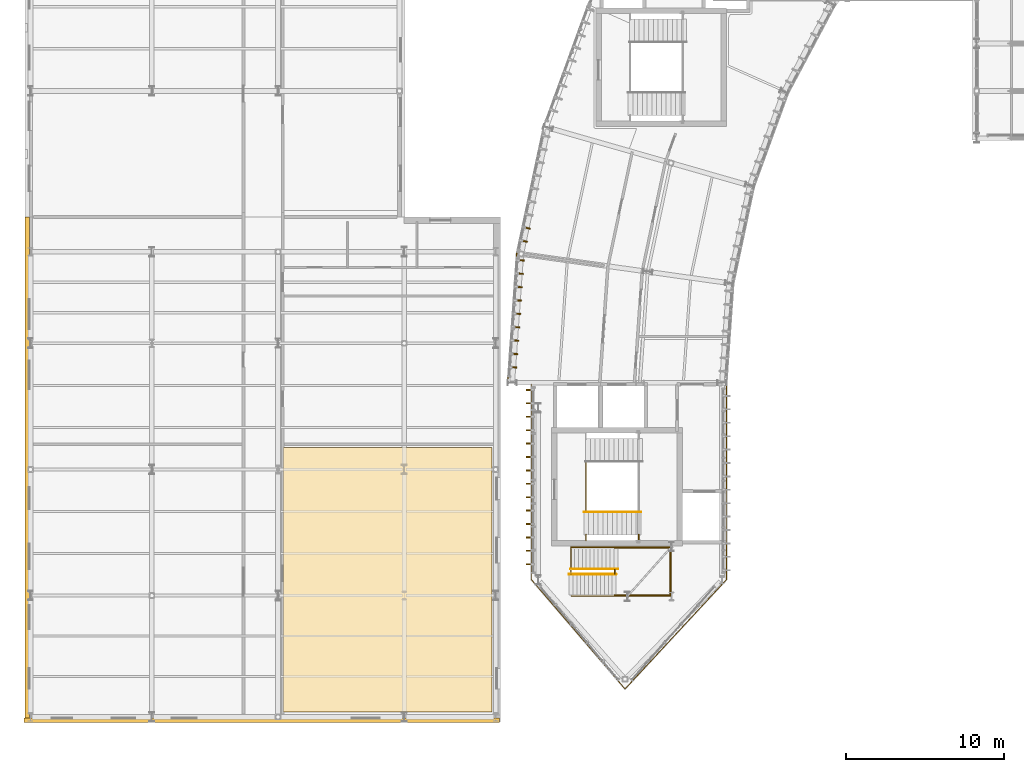
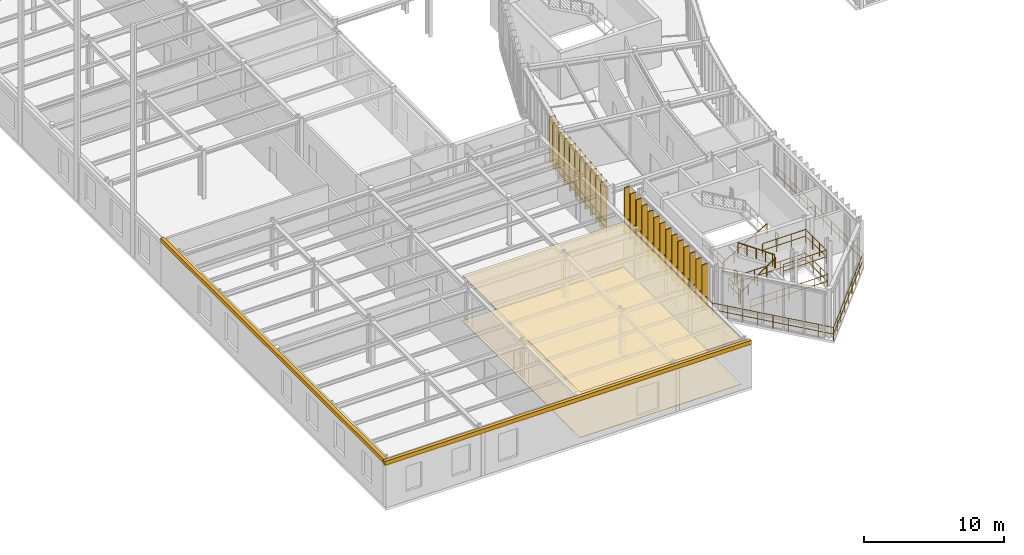
# One storey, part 137 of 148: 29 coverings, 13 railings.
"""IFC4 building model written with IfcOpenShell, lengths in metres."""

from ifc_helpers import new_model, si_unit, direction, frame, origin, origin_2d, place, context, subcontext, project, spatial, polyline, rectangle, circle, outline, extrude, material, layer, layer_set, type_object, element, save


model = new_model("IFC4")

# Units and contexts
model_context = context("Model", 3, precision=1e-05, world=origin(), true_north=direction((0.0, 1.0)))
body_context = subcontext(model_context, "Body", "Model", "MODEL_VIEW")
ifc_project = project(units=[si_unit("LENGTHUNIT", "METRE"), si_unit("AREAUNIT", "SQUARE_METRE"), si_unit("VOLUMEUNIT", "CUBIC_METRE"), si_unit("PLANEANGLEUNIT", "RADIAN"), si_unit("MASSUNIT", "GRAM", prefix="KILO"), si_unit("THERMODYNAMICTEMPERATUREUNIT", "KELVIN"), si_unit("POWERUNIT", "WATT")], contexts=[model_context])

# Site, building, storey
site_placement = place(None, origin())
site = spatial("IfcSite", under=ifc_project, at=site_placement, CompositionType="ELEMENT")
building_placement = place(site_placement, origin())
building = spatial("IfcBuilding", under=site, at=building_placement, Name="Solvatero Civic Police Headquarters", CompositionType="ELEMENT")
storey_placement = place(building_placement, frame((0.0, 0.0, 5.10009765625)))
storey = spatial("IfcBuildingStorey", under=building, at=storey_placement, Name="L01", CompositionType="ELEMENT", Elevation=5.10009765625)

# Coverings
ifc_material_1 = material(Name="Mineral-Fibre Acoustic Tile", Category="gypsum")
ifc_layer_1 = layer(ifc_material_1, 0.02490234375)
ifc_layer_set_1 = layer_set([ifc_layer_1], Name="Mineral-Fibre Acoustic Tile")
covering_type_1 = type_object("IfcCoveringType", Name="COV-CEIL-AC", PredefinedType="CEILING", material=ifc_layer_set_1)
covering_1_placement = place(storey_placement, frame((0.0, 0.0, 3.954833984375)))
element("IfcCovering", 1, at=covering_1_placement, inside=storey, type_object=covering_type_1, Name="Acoustic Ceiling Immigration Casework Interview Offices", PredefinedType="CEILING", context=body_context, shape_type="SweptSolid", body=[
    extrude(outline(polyline([(34.080078125, 21.8798828125), (34.080078125, 5.1201171875), (20.820068359375, 5.1201171875), (20.820068359375, 21.8798828125), (34.080078125, 21.8798828125)])), origin(), (0.0, 0.0, 1.0), 0.025146484375),
])
ifc_material_2 = material(Name="Anodized Bronze Aluminium", Category="aluminium")
ifc_layer_2 = layer(ifc_material_2, 0.080078125)
ifc_layer_set_2 = layer_set([ifc_layer_2], Name="Anodized Bronze Aluminium")
covering_type_2 = type_object("IfcCoveringType", Name="COV-FIN-480", PredefinedType="CLADDING", material=ifc_layer_set_2)
for number, where, z_axis, x_axis, name in (
    (2, (36.25146484375, 35.812255859375, -0.02001953125), (0.0, 0.0, 1.0), (-0.207911690818, -0.978147600734, 0.0), "Vertical Brise-Soleil Fin 0314"),
    (3, (36.07470703125, 34.980712890625, -0.02001953125), (0.0, 0.0, 1.0), (-0.207911690818, -0.978147600734, 0.0), "Vertical Brise-Soleil Fin 0315"),
    (4, (35.873291015625, 33.7626953125, -0.02001953125), (0.0, 0.0, 1.0), (-0.069756473744, -0.99756405026, 0.0), "Vertical Brise-Soleil Fin 0323"),
    (5, (35.81396484375, 32.914794921875, -0.02001953125), (0.0, 0.0, 1.0), (-0.069756473744, -0.99756405026, 0.0), "Vertical Brise-Soleil Fin 0324"),
    (6, (35.7548828125, 32.06689453125, -0.02001953125), (0.0, 0.0, 1.0), (-0.069756473744, -0.99756405026, 0.0), "Vertical Brise-Soleil Fin 0325"),
    (7, (35.695556640625, 31.218994140625, -0.02001953125), (0.0, 0.0, 1.0), (-0.069756473744, -0.99756405026, 0.0), "Vertical Brise-Soleil Fin 0326"),
    (8, (35.63623046875, 30.37109375, -0.02001953125), (0.0, 0.0, 1.0), (-0.069756473744, -0.99756405026, 0.0), "Vertical Brise-Soleil Fin 0327"),
    (9, (35.576904296875, 29.523193359375, -0.02001953125), (0.0, 0.0, 1.0), (-0.069756473744, -0.99756405026, 0.0), "Vertical Brise-Soleil Fin 0328"),
    (10, (35.517578125, 28.67529296875, -0.02001953125), (0.0, 0.0, 1.0), (-0.069756473744, -0.99756405026, 0.0), "Vertical Brise-Soleil Fin 0329"),
    (11, (35.458251953125, 27.827392578125, -0.02001953125), (0.0, 0.0, 1.0), (-0.069756473744, -0.99756405026, 0.0), "Vertical Brise-Soleil Fin 0330"),
    (12, (35.39892578125, 26.9794921875, -0.02001953125), (0.0, 0.0, 1.0), (-0.069756473744, -0.99756405026, 0.0), "Vertical Brise-Soleil Fin 0331"),
    (13, (36.469970703125, 25.5400390625, -0.02001953125), (0.0, 0.0, 1.0), (0.0, -1.0, 0.0), "Vertical Brise-Soleil Fin 0339"),
    (14, (36.469970703125, 24.68994140625, -0.02001953125), (0.0, 0.0, 1.0), (0.0, -1.0, 0.0), "Vertical Brise-Soleil Fin 0340"),
    (15, (36.469970703125, 23.840087890625, -0.02001953125), (0.0, 0.0, 1.0), (0.0, -1.0, 0.0), "Vertical Brise-Soleil Fin 0341"),
    (16, (36.469970703125, 22.989990234375, -0.02001953125), (0.0, 0.0, 1.0), (0.0, -1.0, 0.0), "Vertical Brise-Soleil Fin 0342"),
    (17, (36.469970703125, 22.139892578125, -0.02001953125), (0.0, 0.0, 1.0), (0.0, -1.0, 0.0), "Vertical Brise-Soleil Fin 0343"),
    (18, (36.469970703125, 21.2900390625, -0.02001953125), (0.0, 0.0, 1.0), (0.0, -1.0, 0.0), "Vertical Brise-Soleil Fin 0344"),
    (19, (36.469970703125, 20.43994140625, -0.02001953125), (0.0, 0.0, 1.0), (0.0, -1.0, 0.0), "Vertical Brise-Soleil Fin 0345"),
    (20, (36.469970703125, 19.590087890625, -0.02001953125), (0.0, 0.0, 1.0), (0.0, -1.0, 0.0), "Vertical Brise-Soleil Fin 0346"),
    (21, (36.469970703125, 18.739990234375, -0.02001953125), (0.0, 0.0, 1.0), (0.0, -1.0, 0.0), "Vertical Brise-Soleil Fin 0347"),
    (22, (36.469970703125, 17.889892578125, -0.02001953125), (0.0, 0.0, 1.0), (0.0, -1.0, 0.0), "Vertical Brise-Soleil Fin 0348"),
    (23, (36.469970703125, 17.0400390625, -0.02001953125), (0.0, 0.0, 1.0), (0.0, -1.0, 0.0), "Vertical Brise-Soleil Fin 0349"),
    (24, (36.469970703125, 16.18994140625, -0.02001953125), (0.0, 0.0, 1.0), (0.0, -1.0, 0.0), "Vertical Brise-Soleil Fin 0350"),
    (25, (36.469970703125, 15.340087890625, -0.02001953125), (0.0, 0.0, 1.0), (0.0, -1.0, 0.0), "Vertical Brise-Soleil Fin 0351"),
    (26, (36.469970703125, 14.489990234375, -0.02001953125), (0.0, 0.0, 1.0), (0.0, -1.0, 0.0), "Vertical Brise-Soleil Fin 0352"),
):
    element("IfcCovering", number, at=place(storey_placement, frame(where, z_axis=z_axis, x_axis=x_axis)), inside=storey, type_object=covering_type_2, Name=name, PredefinedType="CLADDING", context=body_context, shape_type="SweptSolid", body=[
        extrude(rectangle(XDim=0.080078125, YDim=0.47998046875, at=origin_2d()), origin(), (0.0, 0.0, 1.0), 3.97998046875),
    ])
ifc_material_3 = material(Name="Venetian Terrazzo Stone", Category="masonry")
ifc_layer_3 = layer(ifc_material_3, 0.034912109375)
ifc_layer_set_3 = layer_set([ifc_layer_3], Name="Venetian Terrazzo Stone")
covering_type_3 = type_object("IfcCoveringType", Name="COV-FLR-TER", PredefinedType="FLOORING", material=ifc_layer_set_3)
covering_2_placement = place(storey_placement, origin())
element("IfcCovering", 27, at=covering_2_placement, inside=storey, type_object=covering_type_3, Name="Flooring Immigration Casework Interview Offices", PredefinedType="FLOORING", context=body_context, shape_type="SweptSolid", body=[
    extrude(outline(polyline([(34.080078125, 21.8798828125), (34.080078125, 5.1201171875), (20.820068359375, 5.1201171875), (20.820068359375, 21.8798828125), (34.080078125, 21.8798828125)])), origin(), (0.0, 0.0, 1.0), 0.034912109375),
])
ifc_material_4 = material(Name="Cream Limestone Ashlar", Category="masonry")
ifc_layer_4 = layer(ifc_material_4, 0.10009765625)
ifc_layer_set_4 = layer_set([ifc_layer_4], Name="Cream Limestone Ashlar")
covering_type_4 = type_object("IfcCoveringType", Name="COV-TRIM-STONE", PredefinedType="CLADDING", material=ifc_layer_set_4)
covering_3_placement = place(storey_placement, frame((19.465087890625, 4.60009765625, 3.75), z_axis=(0.0, 0.0, 1.0), x_axis=(1.0, 0.0, 0.0)))
element("IfcCovering", 28, at=covering_3_placement, inside=storey, type_object=covering_type_4, Name="Classical Limestone Trim TRIM-V4-L01-S", PredefinedType="CLADDING", context=body_context, shape_type="SweptSolid", body=[
    extrude(rectangle(XDim=30.1298828125, YDim=0.280029296875, at=origin_2d()), origin(), (0.0, 0.0, 1.0), 0.340087890625),
])
covering_4_placement = place(storey_placement, frame((4.60009765625, 20.5, 3.75), z_axis=(0.0, 0.0, 1.0), x_axis=(1.0, 0.0, 0.0)))
element("IfcCovering", 29, at=covering_4_placement, inside=storey, type_object=covering_type_4, Name="Classical Limestone Trim TRIM-V4-L01-W", PredefinedType="CLADDING", context=body_context, shape_type="SweptSolid", body=[
    extrude(rectangle(XDim=0.280029296875, YDim=32.0, at=origin_2d()), origin(), (0.0, 0.0, 1.0), 0.340087890625),
])

# Railings
ifc_material_5 = material(Name="Anodized Bronze and Laminated Glass", Category="glass")
railing_type_1 = type_object("IfcRailingType", Name="RL-BAL-115", PredefinedType="BALUSTRADE", material=ifc_material_5)
railing_1_placement = place(storey_placement, frame((39.080078125, 12.47998046875, 0.0)))
element("IfcRailing", 30, at=railing_1_placement, inside=storey, type_object=railing_type_1, Name="Prow Stair Well Balustrade L01 SE", PredefinedType="BALUSTRADE", context=body_context, shape_type="SweptSolid", body=[
    extrude(circle(Radius=0.02392578125, at=origin_2d()), frame((0.0, 0.0, 1.1259765625), z_axis=(1.0, 0.0, 0.0), x_axis=(0.0, 1.0, 0.0)), (0.0, 0.0, 1.0), 6.33984375),
    extrude(circle(Radius=0.02392578125, at=origin_2d()), frame((0.0, 0.0, 0.55078125), z_axis=(1.0, 0.0, 0.0), x_axis=(0.0, 1.0, 0.0)), (0.0, 0.0, 1.0), 6.33984375),
    extrude(circle(Radius=0.02392578125, at=origin_2d()), frame((6.33984375, 0.0, 1.1259765625), z_axis=(0.0, 1.0, 0.0), x_axis=(-1.0, 0.0, 0.0)), (0.0, 0.0, 1.0), 3.090087890625),
    extrude(circle(Radius=0.02392578125, at=origin_2d()), frame((6.33984375, 0.0, 0.55078125), z_axis=(0.0, 1.0, 0.0), x_axis=(-1.0, 0.0, 0.0)), (0.0, 0.0, 1.0), 3.090087890625),
    extrude(circle(Radius=0.02099609375, at=origin_2d()), origin(), (0.0, 0.0, 1.0), 1.101806640625),
    extrude(circle(Radius=0.02099609375, at=origin_2d()), frame((1.056640625, 0.0, 0.0)), (0.0, 0.0, 1.0), 1.101806640625),
    extrude(circle(Radius=0.02099609375, at=origin_2d()), frame((2.11328125, 0.0, 0.0)), (0.0, 0.0, 1.0), 1.101806640625),
    extrude(circle(Radius=0.02099609375, at=origin_2d()), frame((3.169921875, 0.0, 0.0)), (0.0, 0.0, 1.0), 1.101806640625),
    extrude(circle(Radius=0.02099609375, at=origin_2d()), frame((4.2265625, 0.0, 0.0)), (0.0, 0.0, 1.0), 1.101806640625),
    extrude(circle(Radius=0.02099609375, at=origin_2d()), frame((5.283203125, 0.0, 0.0)), (0.0, 0.0, 1.0), 1.101806640625),
    extrude(circle(Radius=0.02099609375, at=origin_2d()), frame((6.33984375, 0.0, 0.0)), (0.0, 0.0, 1.0), 1.101806640625),
    extrude(circle(Radius=0.02099609375, at=origin_2d()), frame((6.33984375, 1.030029296875, 0.0)), (0.0, 0.0, 1.0), 1.101806640625),
    extrude(circle(Radius=0.02099609375, at=origin_2d()), frame((6.33984375, 2.06005859375, 0.0)), (0.0, 0.0, 1.0), 1.101806640625),
    extrude(circle(Radius=0.02099609375, at=origin_2d()), frame((6.33984375, 3.090087890625, 0.0)), (0.0, 0.0, 1.0), 1.101806640625),
])
railing_2_placement = place(storey_placement, frame((45.419921875, 15.570068359375, 0.0)))
element("IfcRailing", 31, at=railing_2_placement, inside=storey, type_object=railing_type_1, Name="Prow Stair Well Balustrade L01 NW", PredefinedType="BALUSTRADE", context=body_context, shape_type="SweptSolid", body=[
    extrude(circle(Radius=0.02392578125, at=origin_2d()), frame((0.0, 0.0, 1.1259765625), z_axis=(-1.0, 0.0, 0.0), x_axis=(0.0, -1.0, 0.0)), (0.0, 0.0, 1.0), 6.33984375),
    extrude(circle(Radius=0.02392578125, at=origin_2d()), frame((0.0, 0.0, 0.55078125), z_axis=(-1.0, 0.0, 0.0), x_axis=(0.0, -1.0, 0.0)), (0.0, 0.0, 1.0), 6.33984375),
    extrude(circle(Radius=0.02392578125, at=origin_2d()), frame((-6.33984375, 0.0, 1.1259765625), z_axis=(0.0, -1.0, 0.0), x_axis=(1.0, 0.0, 0.0)), (0.0, 0.0, 1.0), 1.41015625),
    extrude(circle(Radius=0.02392578125, at=origin_2d()), frame((-6.33984375, 0.0, 0.55078125), z_axis=(0.0, -1.0, 0.0), x_axis=(1.0, 0.0, 0.0)), (0.0, 0.0, 1.0), 1.41015625),
    extrude(circle(Radius=0.02099609375, at=origin_2d()), origin(), (0.0, 0.0, 1.0), 1.101806640625),
    extrude(circle(Radius=0.02099609375, at=origin_2d()), frame((-1.056640625, 0.0, 0.0)), (0.0, 0.0, 1.0), 1.101806640625),
    extrude(circle(Radius=0.02099609375, at=origin_2d()), frame((-2.11328125, 0.0, 0.0)), (0.0, 0.0, 1.0), 1.101806640625),
    extrude(circle(Radius=0.02099609375, at=origin_2d()), frame((-3.169921875, 0.0, 0.0)), (0.0, 0.0, 1.0), 1.101806640625),
    extrude(circle(Radius=0.02099609375, at=origin_2d()), frame((-4.2265625, 0.0, 0.0)), (0.0, 0.0, 1.0), 1.101806640625),
    extrude(circle(Radius=0.02099609375, at=origin_2d()), frame((-5.283203125, 0.0, 0.0)), (0.0, 0.0, 1.0), 1.101806640625),
    extrude(circle(Radius=0.02099609375, at=origin_2d()), frame((-6.33984375, 0.0, 0.0)), (0.0, 0.0, 1.0), 1.101806640625),
    extrude(circle(Radius=0.02099609375, at=origin_2d()), frame((-6.33984375, -0.705078125, 0.0)), (0.0, 0.0, 1.0), 1.101806640625),
    extrude(circle(Radius=0.02099609375, at=origin_2d()), frame((-6.33984375, -1.41015625, 0.0)), (0.0, 0.0, 1.0), 1.101806640625),
])
railing_3_placement = place(storey_placement, frame((39.080078125, 13.8798828125, 0.0)))
element("IfcRailing", 32, at=railing_3_placement, inside=storey, type_object=railing_type_1, Name="Prow Stair Well West Slot L01", PredefinedType="BALUSTRADE", context=body_context, shape_type="SweptSolid", body=[
    extrude(circle(Radius=0.02392578125, at=origin_2d()), frame((0.0, 0.0, 1.1259765625), z_axis=(0.0, 1.0, 0.0), x_axis=(-1.0, 0.0, 0.0)), (0.0, 0.0, 1.0), 0.280029296875),
    extrude(circle(Radius=0.02392578125, at=origin_2d()), frame((0.0, 0.0, 0.55078125), z_axis=(0.0, 1.0, 0.0), x_axis=(-1.0, 0.0, 0.0)), (0.0, 0.0, 1.0), 0.280029296875),
    extrude(circle(Radius=0.02099609375, at=origin_2d()), origin(), (0.0, 0.0, 1.0), 1.101806640625),
    extrude(circle(Radius=0.02099609375, at=origin_2d()), frame((0.0, 0.280029296875, 0.0)), (0.0, 0.0, 1.0), 1.101806640625),
])
railing_4_placement = place(storey_placement, frame((41.820068359375, 12.5400390625, 2.099853515625)))
element("IfcRailing", 33, at=railing_4_placement, inside=storey, type_object=railing_type_1, Name="ST-PRW L01 Half-Landing Balustrade", PredefinedType="BALUSTRADE", context=body_context, shape_type="SweptSolid", body=[
    extrude(circle(Radius=0.02392578125, at=origin_2d()), frame((0.0, 0.0, 1.1259765625), z_axis=(1.0, 0.0, 0.0), x_axis=(0.0, 1.0, 0.0)), (0.0, 0.0, 1.0), 3.5400390625),
    extrude(circle(Radius=0.02392578125, at=origin_2d()), frame((0.0, 0.0, 0.55078125), z_axis=(1.0, 0.0, 0.0), x_axis=(0.0, 1.0, 0.0)), (0.0, 0.0, 1.0), 3.5400390625),
    extrude(circle(Radius=0.02392578125, at=origin_2d()), frame((3.5400390625, 0.0, 1.1259765625), z_axis=(0.0, 1.0, 0.0), x_axis=(-1.0, 0.0, 0.0)), (0.0, 0.0, 1.0), 2.969970703125),
    extrude(circle(Radius=0.02392578125, at=origin_2d()), frame((3.5400390625, 0.0, 0.55078125), z_axis=(0.0, 1.0, 0.0), x_axis=(-1.0, 0.0, 0.0)), (0.0, 0.0, 1.0), 2.969970703125),
    extrude(circle(Radius=0.02392578125, at=origin_2d()), frame((3.5400390625, 2.969970703125, 1.1259765625), z_axis=(-1.0, 0.0, 0.0), x_axis=(0.0, -1.0, 0.0)), (0.0, 0.0, 1.0), 3.5400390625),
    extrude(circle(Radius=0.02392578125, at=origin_2d()), frame((3.5400390625, 2.969970703125, 0.55078125), z_axis=(-1.0, 0.0, 0.0), x_axis=(0.0, -1.0, 0.0)), (0.0, 0.0, 1.0), 3.5400390625),
    extrude(circle(Radius=0.02099609375, at=origin_2d()), origin(), (0.0, 0.0, 1.0), 1.101806640625),
    extrude(circle(Radius=0.02099609375, at=origin_2d()), frame((1.179931640625, 0.0, 0.0)), (0.0, 0.0, 1.0), 1.101806640625),
    extrude(circle(Radius=0.02099609375, at=origin_2d()), frame((2.360107421875, 0.0, 0.0)), (0.0, 0.0, 1.0), 1.101806640625),
    extrude(circle(Radius=0.02099609375, at=origin_2d()), frame((3.5400390625, 0.0, 0.0)), (0.0, 0.0, 1.0), 1.101806640625),
    extrude(circle(Radius=0.02099609375, at=origin_2d()), frame((3.5400390625, 0.989990234375, 0.0)), (0.0, 0.0, 1.0), 1.101806640625),
    extrude(circle(Radius=0.02099609375, at=origin_2d()), frame((3.5400390625, 1.97998046875, 0.0)), (0.0, 0.0, 1.0), 1.101806640625),
    extrude(circle(Radius=0.02099609375, at=origin_2d()), frame((3.5400390625, 2.969970703125, 0.0)), (0.0, 0.0, 1.0), 1.101806640625),
    extrude(circle(Radius=0.02099609375, at=origin_2d()), frame((2.360107421875, 2.969970703125, 0.0)), (0.0, 0.0, 1.0), 1.101806640625),
    extrude(circle(Radius=0.02099609375, at=origin_2d()), frame((1.179931640625, 2.969970703125, 0.0)), (0.0, 0.0, 1.0), 1.101806640625),
    extrude(circle(Radius=0.02099609375, at=origin_2d()), frame((0.0, 2.969970703125, 0.0)), (0.0, 0.0, 1.0), 1.101806640625),
])
railing_5_placement = place(storey_placement, frame((36.56005859375, 25.89990234375, 0.0)))
element("IfcRailing", 34, at=railing_5_placement, inside=storey, type_object=railing_type_1, Name="Glazed Facade Sill Balustrade RL-L01-PROW-PERIM", PredefinedType="BALUSTRADE", context=body_context, shape_type="SweptSolid", body=[
    extrude(circle(Radius=0.02392578125, at=origin_2d()), frame((0.0, 0.0, 1.1259765625), z_axis=(0.0, -1.0, 0.0), x_axis=(1.0, 0.0, 0.0)), (0.0, 0.0, 1.0), 12.3798828125),
    extrude(circle(Radius=0.02392578125, at=origin_2d()), frame((0.0, 0.0, 0.55078125), z_axis=(0.0, -1.0, 0.0), x_axis=(1.0, 0.0, 0.0)), (0.0, 0.0, 1.0), 12.3798828125),
    extrude(circle(Radius=0.02392578125, at=origin_2d()), frame((0.0, -12.3798828125, 1.1259765625), z_axis=(0.65024976551, -0.759720502852, 0.0), x_axis=(0.759720502852, 0.65024976551, 0.0)), (0.0, 0.0, 1.0), 9.134765625),
    extrude(circle(Radius=0.02392578125, at=origin_2d()), frame((0.0, -12.3798828125, 0.55078125), z_axis=(0.65024976551, -0.759720502852, 0.0), x_axis=(0.759720502852, 0.65024976551, 0.0)), (0.0, 0.0, 1.0), 9.134765625),
    extrude(circle(Radius=0.02392578125, at=origin_2d()), frame((5.93994140625, -19.31982421875, 1.1259765625), z_axis=(0.680207746239, 0.733019387163, 0.0), x_axis=(-0.733019387163, 0.680207746239, 0.0)), (0.0, 0.0, 1.0), 9.467529296875),
    extrude(circle(Radius=0.02392578125, at=origin_2d()), frame((5.93994140625, -19.31982421875, 0.55078125), z_axis=(0.680207746239, 0.733019387163, 0.0), x_axis=(-0.733019387163, 0.680207746239, 0.0)), (0.0, 0.0, 1.0), 9.467529296875),
    extrude(circle(Radius=0.02392578125, at=origin_2d()), frame((12.3798828125, -12.3798828125, 1.1259765625), z_axis=(0.0, 1.0, 0.0), x_axis=(-1.0, 0.0, 0.0)), (0.0, 0.0, 1.0), 12.3798828125),
    extrude(circle(Radius=0.02392578125, at=origin_2d()), frame((12.3798828125, -12.3798828125, 0.55078125), z_axis=(0.0, 1.0, 0.0), x_axis=(-1.0, 0.0, 0.0)), (0.0, 0.0, 1.0), 12.3798828125),
    extrude(circle(Radius=0.02099609375, at=origin_2d()), origin(), (0.0, 0.0, 1.0), 1.101806640625),
    extrude(circle(Radius=0.02099609375, at=origin_2d()), frame((0.0, -1.12548828125, 0.0)), (0.0, 0.0, 1.0), 1.101806640625),
    extrude(circle(Radius=0.02099609375, at=origin_2d()), frame((0.0, -2.2509765625, 0.0)), (0.0, 0.0, 1.0), 1.101806640625),
    extrude(circle(Radius=0.02099609375, at=origin_2d()), frame((0.0, -3.376220703125, 0.0)), (0.0, 0.0, 1.0), 1.101806640625),
    extrude(circle(Radius=0.02099609375, at=origin_2d()), frame((0.0, -4.501708984375, 0.0)), (0.0, 0.0, 1.0), 1.101806640625),
    extrude(circle(Radius=0.02099609375, at=origin_2d()), frame((0.0, -5.627197265625, 0.0)), (0.0, 0.0, 1.0), 1.101806640625),
    extrude(circle(Radius=0.02099609375, at=origin_2d()), frame((0.0, -6.752685546875, 0.0)), (0.0, 0.0, 1.0), 1.101806640625),
    extrude(circle(Radius=0.02099609375, at=origin_2d()), frame((0.0, -7.878173828125, 0.0)), (0.0, 0.0, 1.0), 1.101806640625),
    extrude(circle(Radius=0.02099609375, at=origin_2d()), frame((0.0, -9.003662109375, 0.0)), (0.0, 0.0, 1.0), 1.101806640625),
    extrude(circle(Radius=0.02099609375, at=origin_2d()), frame((0.0, -10.12890625, 0.0)), (0.0, 0.0, 1.0), 1.101806640625),
    extrude(circle(Radius=0.02099609375, at=origin_2d()), frame((0.0, -11.25439453125, 0.0)), (0.0, 0.0, 1.0), 1.101806640625),
    extrude(circle(Radius=0.02099609375, at=origin_2d()), frame((0.0, -12.3798828125, 0.0)), (0.0, 0.0, 1.0), 1.101806640625),
    extrude(circle(Radius=0.02099609375, at=origin_2d()), frame((0.742431640625, -13.247314453125, 0.0)), (0.0, 0.0, 1.0), 1.101806640625),
    extrude(circle(Radius=0.02099609375, at=origin_2d()), frame((1.48486328125, -14.11474609375, 0.0)), (0.0, 0.0, 1.0), 1.101806640625),
    extrude(circle(Radius=0.02099609375, at=origin_2d()), frame((2.2275390625, -14.982421875, 0.0)), (0.0, 0.0, 1.0), 1.101806640625),
    extrude(circle(Radius=0.02099609375, at=origin_2d()), frame((2.969970703125, -15.849853515625, 0.0)), (0.0, 0.0, 1.0), 1.101806640625),
    extrude(circle(Radius=0.02099609375, at=origin_2d()), frame((3.71240234375, -16.71728515625, 0.0)), (0.0, 0.0, 1.0), 1.101806640625),
    extrude(circle(Radius=0.02099609375, at=origin_2d()), frame((4.455078125, -17.5849609375, 0.0)), (0.0, 0.0, 1.0), 1.101806640625),
    extrude(circle(Radius=0.02099609375, at=origin_2d()), frame((5.197509765625, -18.452392578125, 0.0)), (0.0, 0.0, 1.0), 1.101806640625),
    extrude(circle(Radius=0.02099609375, at=origin_2d()), frame((5.93994140625, -19.31982421875, 0.0)), (0.0, 0.0, 1.0), 1.101806640625),
    extrude(circle(Radius=0.02099609375, at=origin_2d()), frame((6.744873046875, -18.452392578125, 0.0)), (0.0, 0.0, 1.0), 1.101806640625),
    extrude(circle(Radius=0.02099609375, at=origin_2d()), frame((7.5498046875, -17.5849609375, 0.0)), (0.0, 0.0, 1.0), 1.101806640625),
    extrude(circle(Radius=0.02099609375, at=origin_2d()), frame((8.35498046875, -16.71728515625, 0.0)), (0.0, 0.0, 1.0), 1.101806640625),
    extrude(circle(Radius=0.02099609375, at=origin_2d()), frame((9.159912109375, -15.849853515625, 0.0)), (0.0, 0.0, 1.0), 1.101806640625),
    extrude(circle(Radius=0.02099609375, at=origin_2d()), frame((9.96484375, -14.982421875, 0.0)), (0.0, 0.0, 1.0), 1.101806640625),
    extrude(circle(Radius=0.02099609375, at=origin_2d()), frame((10.77001953125, -14.11474609375, 0.0)), (0.0, 0.0, 1.0), 1.101806640625),
    extrude(circle(Radius=0.02099609375, at=origin_2d()), frame((11.574951171875, -13.247314453125, 0.0)), (0.0, 0.0, 1.0), 1.101806640625),
    extrude(circle(Radius=0.02099609375, at=origin_2d()), frame((12.3798828125, -12.3798828125, 0.0)), (0.0, 0.0, 1.0), 1.101806640625),
    extrude(circle(Radius=0.02099609375, at=origin_2d()), frame((12.3798828125, -11.25439453125, 0.0)), (0.0, 0.0, 1.0), 1.101806640625),
    extrude(circle(Radius=0.02099609375, at=origin_2d()), frame((12.3798828125, -10.12890625, 0.0)), (0.0, 0.0, 1.0), 1.101806640625),
    extrude(circle(Radius=0.02099609375, at=origin_2d()), frame((12.3798828125, -9.003662109375, 0.0)), (0.0, 0.0, 1.0), 1.101806640625),
    extrude(circle(Radius=0.02099609375, at=origin_2d()), frame((12.3798828125, -7.878173828125, 0.0)), (0.0, 0.0, 1.0), 1.101806640625),
    extrude(circle(Radius=0.02099609375, at=origin_2d()), frame((12.3798828125, -6.752685546875, 0.0)), (0.0, 0.0, 1.0), 1.101806640625),
    extrude(circle(Radius=0.02099609375, at=origin_2d()), frame((12.3798828125, -5.627197265625, 0.0)), (0.0, 0.0, 1.0), 1.101806640625),
    extrude(circle(Radius=0.02099609375, at=origin_2d()), frame((12.3798828125, -4.501708984375, 0.0)), (0.0, 0.0, 1.0), 1.101806640625),
    extrude(circle(Radius=0.02099609375, at=origin_2d()), frame((12.3798828125, -3.376220703125, 0.0)), (0.0, 0.0, 1.0), 1.101806640625),
    extrude(circle(Radius=0.02099609375, at=origin_2d()), frame((12.3798828125, -2.2509765625, 0.0)), (0.0, 0.0, 1.0), 1.101806640625),
    extrude(circle(Radius=0.02099609375, at=origin_2d()), frame((12.3798828125, -1.12548828125, 0.0)), (0.0, 0.0, 1.0), 1.101806640625),
    extrude(circle(Radius=0.02099609375, at=origin_2d()), frame((12.3798828125, 0.0, 0.0)), (0.0, 0.0, 1.0), 1.101806640625),
])
railing_6_placement = place(storey_placement, frame((35.633544921875, 34.202880859375, 0.0)))
element("IfcRailing", 35, at=railing_6_placement, inside=storey, type_object=railing_type_1, Name="Glazed Facade Sill Balustrade RL-L01-ARCOUT-B12", PredefinedType="BALUSTRADE", context=body_context, shape_type="SweptSolid", body=[
    extrude(circle(Radius=0.02392578125, at=origin_2d()), frame((0.0, 0.0, 1.1259765625), z_axis=(-0.069742558988, -0.997565023177, 0.0), x_axis=(0.997565023177, -0.069742558988, 0.0)), (0.0, 0.0, 1.0), 8.222900390625),
    extrude(circle(Radius=0.02392578125, at=origin_2d()), frame((0.0, 0.0, 0.55078125), z_axis=(-0.069742558988, -0.997565023177, 0.0), x_axis=(0.997565023177, -0.069742558988, 0.0)), (0.0, 0.0, 1.0), 8.222900390625),
    extrude(circle(Radius=0.02099609375, at=origin_2d()), origin(), (0.0, 0.0, 1.0), 1.101806640625),
    extrude(circle(Radius=0.02099609375, at=origin_2d()), frame((-0.08203125, -1.171875, 0.0)), (0.0, 0.0, 1.0), 1.101806640625),
    extrude(circle(Radius=0.02099609375, at=origin_2d()), frame((-0.163818359375, -2.34375, 0.0)), (0.0, 0.0, 1.0), 1.101806640625),
    extrude(circle(Radius=0.02099609375, at=origin_2d()), frame((-0.245849609375, -3.515625, 0.0)), (0.0, 0.0, 1.0), 1.101806640625),
    extrude(circle(Radius=0.02099609375, at=origin_2d()), frame((-0.32763671875, -4.687255859375, 0.0)), (0.0, 0.0, 1.0), 1.101806640625),
    extrude(circle(Radius=0.02099609375, at=origin_2d()), frame((-0.40966796875, -5.859130859375, 0.0)), (0.0, 0.0, 1.0), 1.101806640625),
    extrude(circle(Radius=0.02099609375, at=origin_2d()), frame((-0.491455078125, -7.031005859375, 0.0)), (0.0, 0.0, 1.0), 1.101806640625),
    extrude(circle(Radius=0.02099609375, at=origin_2d()), frame((-0.573486328125, -8.202880859375, 0.0)), (0.0, 0.0, 1.0), 1.101806640625),
])
ifc_material_6 = material(Name="Painted Galvanized Steel", Category="steel")
railing_type_2 = type_object("IfcRailingType", Name="RL-GRD-110", PredefinedType="GUARDRAIL", material=ifc_material_6)
railing_7_placement = place(storey_placement, frame((40.030029296875, 17.830078125, 0.0)))
element("IfcRailing", 36, at=railing_7_placement, inside=storey, type_object=railing_type_2, Name="ST-C1 L01 Floor Well Guardrail", PredefinedType="GUARDRAIL", context=body_context, shape_type="SweptSolid", body=[
    extrude(circle(Radius=0.02392578125, at=origin_2d()), frame((0.0, 0.0, 1.09619140625), z_axis=(0.0, 1.0, 0.0), x_axis=(-1.0, 0.0, 0.0)), (0.0, 0.0, 1.0), 3.139892578125),
    extrude(circle(Radius=0.02392578125, at=origin_2d()), frame((0.0, 0.0, 0.5361328125), z_axis=(0.0, 1.0, 0.0), x_axis=(-1.0, 0.0, 0.0)), (0.0, 0.0, 1.0), 3.139892578125),
    extrude(circle(Radius=0.02099609375, at=origin_2d()), origin(), (0.0, 0.0, 1.0), 1.072021484375),
    extrude(circle(Radius=0.02099609375, at=origin_2d()), frame((0.0, 1.046630859375, 0.0)), (0.0, 0.0, 1.0), 1.072021484375),
    extrude(circle(Radius=0.02099609375, at=origin_2d()), frame((0.0, 2.09326171875, 0.0)), (0.0, 0.0, 1.0), 1.072021484375),
    extrude(circle(Radius=0.02099609375, at=origin_2d()), frame((0.0, 3.139892578125, 0.0)), (0.0, 0.0, 1.0), 1.072021484375),
])
for number, where, name in (
    (37, (40.030029296875, 16.010009765625, 0.0), "ST-C1 L01 Floor Well South Slot Guardrail"),
    (38, (43.3701171875, 16.010009765625, 2.099853515625), "ST-C1 L01 Half-Landing South Slot Guardrail"),
):
    element("IfcRailing", number, at=place(storey_placement, frame(where)), inside=storey, type_object=railing_type_2, Name=name, PredefinedType="GUARDRAIL", context=body_context, shape_type="SweptSolid", body=[
        extrude(circle(Radius=0.02392578125, at=origin_2d()), frame((0.0, 0.0, 1.09619140625), z_axis=(0.0, 1.0, 0.0), x_axis=(-1.0, 0.0, 0.0)), (0.0, 0.0, 1.0), 0.360107421875),
        extrude(circle(Radius=0.02392578125, at=origin_2d()), frame((0.0, 0.0, 0.5361328125), z_axis=(0.0, 1.0, 0.0), x_axis=(-1.0, 0.0, 0.0)), (0.0, 0.0, 1.0), 0.360107421875),
        extrude(circle(Radius=0.02099609375, at=origin_2d()), origin(), (0.0, 0.0, 1.0), 1.072021484375),
        extrude(circle(Radius=0.02099609375, at=origin_2d()), frame((0.0, 0.360107421875, 0.0)), (0.0, 0.0, 1.0), 1.072021484375),
    ])
railing_8_placement = place(storey_placement, frame((41.85009765625, 13.8798828125, 2.099853515625)))
element("IfcRailing", 39, at=railing_8_placement, inside=storey, type_object=railing_type_2, Name="ST-PRW L01 Half-Landing Slot Guardrail", PredefinedType="GUARDRAIL", context=body_context, shape_type="SweptSolid", body=[
    extrude(circle(Radius=0.02392578125, at=origin_2d()), frame((0.0, 0.0, 1.09619140625), z_axis=(0.0, 1.0, 0.0), x_axis=(-1.0, 0.0, 0.0)), (0.0, 0.0, 1.0), 0.280029296875),
    extrude(circle(Radius=0.02392578125, at=origin_2d()), frame((0.0, 0.0, 0.5361328125), z_axis=(0.0, 1.0, 0.0), x_axis=(-1.0, 0.0, 0.0)), (0.0, 0.0, 1.0), 0.280029296875),
    extrude(circle(Radius=0.02099609375, at=origin_2d()), origin(), (0.0, 0.0, 1.0), 1.072021484375),
    extrude(circle(Radius=0.02099609375, at=origin_2d()), frame((0.0, 0.280029296875, 0.0)), (0.0, 0.0, 1.0), 1.072021484375),
])
ifc_material_7 = material(Name="Brushed Stainless Steel", Category="steel")
railing_type_3 = type_object("IfcRailingType", Name="RL-HND-092", PredefinedType="HANDRAIL", material=ifc_material_7)
railing_9_placement = place(storey_placement, frame((39.89990234375, 17.800048828125, 0.0)))
element("IfcRailing", 40, at=railing_9_placement, inside=storey, type_object=railing_type_3, Name="ST-C1 L01 Flight 1 Handrail", PredefinedType="HANDRAIL", context=body_context, shape_type="SweptSolid", body=[
    extrude(circle(Radius=0.02392578125, at=origin_2d()), frame((0.0, 0.0, 0.89599609375), z_axis=(0.863800146258, 0.0, 0.503834603144), x_axis=(0.0, 1.0, 0.0)), (0.0, 0.0, 1.0), 4.167724609375),
    extrude(circle(Radius=0.02099609375, at=origin_2d()), origin(), (0.0, 0.0, 1.0), 0.871826171875),
    extrude(circle(Radius=0.02099609375, at=origin_2d()), frame((0.89990234375, 0.0, 0.52490234375)), (0.0, 0.0, 1.0), 0.871826171875),
    extrude(circle(Radius=0.02099609375, at=origin_2d()), frame((1.800048828125, 0.0, 1.0498046875)), (0.0, 0.0, 1.0), 0.871826171875),
    extrude(circle(Radius=0.02099609375, at=origin_2d()), frame((2.7001953125, 0.0, 1.574951171875)), (0.0, 0.0, 1.0), 0.871826171875),
    extrude(circle(Radius=0.02099609375, at=origin_2d()), frame((3.60009765625, 0.0, 2.099853515625)), (0.0, 0.0, 1.0), 0.871826171875),
])
railing_10_placement = place(storey_placement, frame((38.93994140625, 13.85009765625, 0.0)))
element("IfcRailing", 41, at=railing_10_placement, inside=storey, type_object=railing_type_3, Name="ST-PRW L01 Flight 1 Handrail", PredefinedType="HANDRAIL", context=body_context, shape_type="SweptSolid", body=[
    extrude(circle(Radius=0.02392578125, at=origin_2d()), frame((0.0, 0.0, 0.89599609375), z_axis=(0.819250713189, 0.0, 0.573435496756), x_axis=(0.0, 1.0, 0.0)), (0.0, 0.0, 1.0), 3.661865234375),
    extrude(circle(Radius=0.02099609375, at=origin_2d()), origin(), (0.0, 0.0, 1.0), 0.871826171875),
    extrude(circle(Radius=0.02099609375, at=origin_2d()), frame((0.75, 0.0, 0.52490234375)), (0.0, 0.0, 1.0), 0.871826171875),
    extrude(circle(Radius=0.02099609375, at=origin_2d()), frame((1.5, 0.0, 1.0498046875)), (0.0, 0.0, 1.0), 0.871826171875),
    extrude(circle(Radius=0.02099609375, at=origin_2d()), frame((2.25, 0.0, 1.574951171875)), (0.0, 0.0, 1.0), 0.871826171875),
    extrude(circle(Radius=0.02099609375, at=origin_2d()), frame((3.0, 0.0, 2.099853515625)), (0.0, 0.0, 1.0), 0.871826171875),
])
railing_11_placement = place(storey_placement, frame((42.0400390625, 14.18994140625, 2.099853515625)))
element("IfcRailing", 42, at=railing_11_placement, inside=storey, type_object=railing_type_3, Name="ST-PRW L01 Flight 2 Handrail", PredefinedType="HANDRAIL", context=body_context, shape_type="SweptSolid", body=[
    extrude(circle(Radius=0.02392578125, at=origin_2d()), frame((0.0, 0.0, 0.89599609375), z_axis=(-0.819219392063, 0.0, 0.573480241742), x_axis=(0.0, -1.0, 0.0)), (0.0, 0.0, 1.0), 3.662109375),
    extrude(circle(Radius=0.02099609375, at=origin_2d()), origin(), (0.0, 0.0, 1.0), 0.871826171875),
    extrude(circle(Radius=0.02099609375, at=origin_2d()), frame((-0.75, 0.0, 0.52490234375)), (0.0, 0.0, 1.0), 0.871826171875),
    extrude(circle(Radius=0.02099609375, at=origin_2d()), frame((-1.5, 0.0, 1.050048828125)), (0.0, 0.0, 1.0), 0.871826171875),
    extrude(circle(Radius=0.02099609375, at=origin_2d()), frame((-2.25, 0.0, 1.5751953125)), (0.0, 0.0, 1.0), 0.871826171875),
    extrude(circle(Radius=0.02099609375, at=origin_2d()), frame((-3.0, 0.0, 2.10009765625)), (0.0, 0.0, 1.0), 0.871826171875),
])

save(model, "model.ifc")
